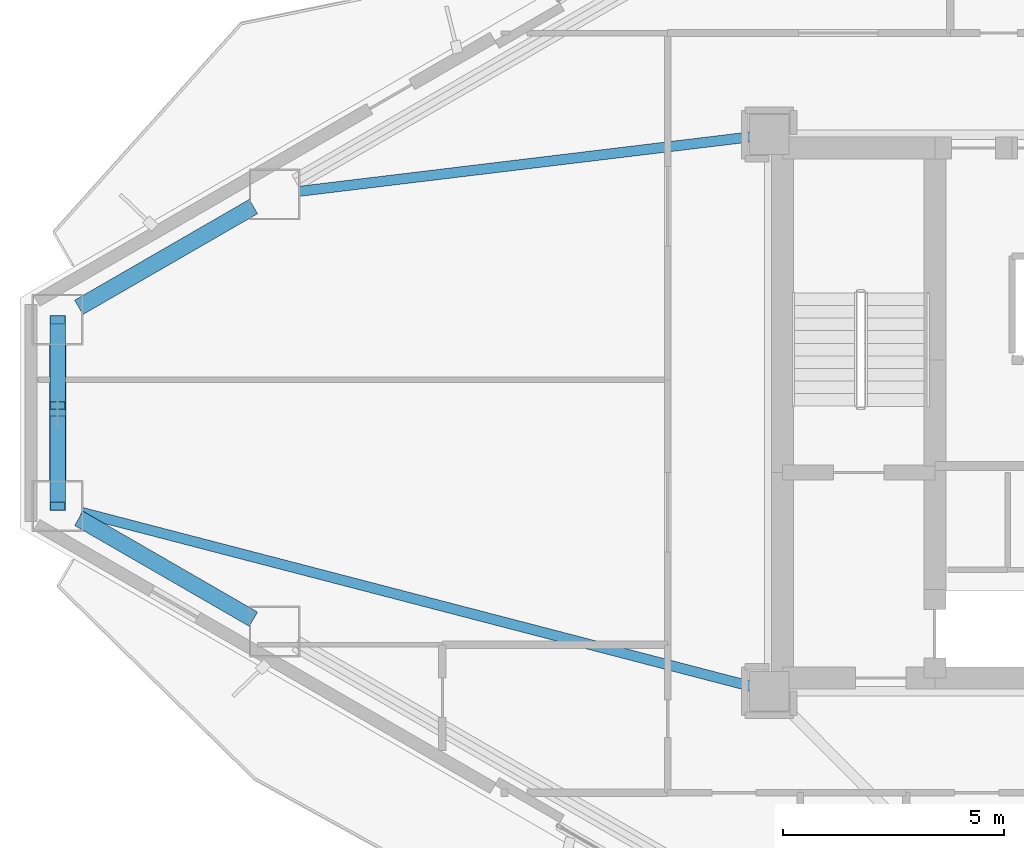
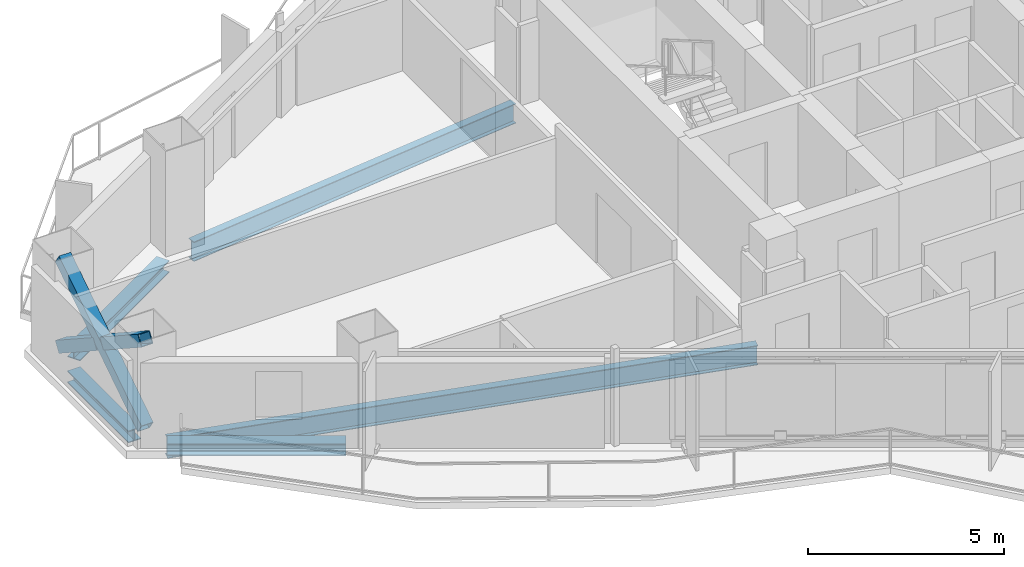
# One storey, part 5 of 22: 5 beams, 3 members.
"""IFC4 building model written with IfcOpenShell, lengths in metres."""

from ifc_helpers import new_model, si_unit, direction, frame, origin, origin_2d, place, context, subcontext, project, spatial, hollow_rectangle, i_section, extrude, material, material_profile, profile_set, type_object, element, save


model = new_model("IFC4")

# Units and contexts
model_context = context("Model", 3, precision=1e-05, world=origin(), true_north=direction((0.0, 1.0)))
body_context = subcontext(model_context, "Body", "Model", "MODEL_VIEW")
ifc_project = project(units=[si_unit("LENGTHUNIT", "METRE"), si_unit("AREAUNIT", "SQUARE_METRE"), si_unit("VOLUMEUNIT", "CUBIC_METRE"), si_unit("PLANEANGLEUNIT", "RADIAN"), si_unit("MASSUNIT", "GRAM", prefix="KILO")], contexts=[model_context])

# Site, building, storey
site_placement = place(None, origin())
site = spatial("IfcSite", under=ifc_project, at=site_placement, CompositionType="ELEMENT")
building_placement = place(site_placement, origin())
building = spatial("IfcBuilding", under=site, at=building_placement, Name="Mersakhor Tower and Convention Hall", CompositionType="ELEMENT")
storey_placement = place(building_placement, frame((0.0, 0.0, 86.699951171875)))
storey = spatial("IfcBuildingStorey", under=building, at=storey_placement, Name="L23", CompositionType="ELEMENT", Elevation=86.699951171875)

# Beams
ifc_material_1 = material(Name="Steel S355", Category="steel")
ifc_material_profile_1 = material_profile(ifc_material_1, i_section(OverallWidth=0.22900390625, OverallDepth=0.6123046875, WebThickness=0.011962890625, FlangeThickness=0.01953125, at=origin_2d()), Name="UB 610x229x125")
ifc_profile_set_1 = profile_set([ifc_material_profile_1], Name="Steel S355")
beam_type_1 = type_object("IfcBeamType", Name="BM-PR-610", PredefinedType="BEAM", material=ifc_profile_set_1)
beam_1_placement = place(storey_placement, frame((21.47314453125, 32.99853515625, -0.55615234375), z_axis=(-0.992798628585, -0.119795171356, 0.0), x_axis=(0.119795171356, -0.992798628585, 0.0)))
element("IfcBeam", 1, at=beam_1_placement, inside=storey, type_object=beam_type_1, Name="L23 Primary Floor Girder FG-1", PredefinedType="BEAM", context=body_context, shape_type="SweptSolid", body=[
    extrude(i_section(OverallWidth=0.22900390625, OverallDepth=0.6123046875, WebThickness=0.011962890625, FlangeThickness=0.01953125, at=origin_2d()), origin(), (0.0, 0.0, 1.0), 10.2939453125),
])
beam_2_placement = place(storey_placement, frame((21.48388671875, 20.55810546875, -0.55615234375), z_axis=(-0.967826150614, 0.251619836632, 0.0), x_axis=(-0.251619836632, -0.967826150614, 0.0)))
element("IfcBeam", 2, at=beam_2_placement, inside=storey, type_object=beam_type_1, Name="L23 Primary Floor Girder FG-6", PredefinedType="BEAM", context=body_context, shape_type="SweptSolid", body=[
    extrude(i_section(OverallWidth=0.22900390625, OverallDepth=0.6123046875, WebThickness=0.011962890625, FlangeThickness=0.01953125, at=origin_2d()), origin(), (0.0, 0.0, 1.0), 15.6640625),
])
ifc_material_2 = material(Name="Steel S355", Category="steel")
ifc_material_profile_2 = material_profile(ifc_material_2, i_section(OverallWidth=0.374755859375, OverallDepth=0.37451171875, WebThickness=0.0166015625, FlangeThickness=0.027099609375, at=origin_2d()), Name="UC 356x368x202")
ifc_profile_set_2 = profile_set([ifc_material_profile_2], Name="Steel S355")
beam_type_2 = type_object("IfcBeamType", Name="BM-SPD-UC356", PredefinedType="SPANDREL", material=ifc_profile_set_2)
for number, where, z_axis, x_axis, name in (
    (3, (6.267333984375, 29.13818359375, -0.437255859375), (0.866023543838, 0.500003221507, 0.0), (-0.500003221507, 0.866023543838, 0.0), "L23 Perimeter Spandrel Beam SPB-01"),
    (4, (10.221923828125, 22.07861328125, -0.437255859375), (-0.866023543838, 0.500003221507, 0.0), (-0.500003221507, -0.866023543838, 0.0), "L23 Perimeter Spandrel Beam SPB-11"),
):
    element("IfcBeam", number, at=place(storey_placement, frame(where, z_axis=z_axis, x_axis=x_axis)), inside=storey, type_object=beam_type_2, Name=name, PredefinedType="SPANDREL", context=body_context, shape_type="SweptSolid", body=[
        extrude(i_section(OverallWidth=0.374755859375, OverallDepth=0.37451171875, WebThickness=0.0166015625, FlangeThickness=0.027099609375, at=origin_2d()), origin(), (0.0, 0.0, 1.0), 4.56640625),
    ])
beam_3_placement = place(storey_placement, frame((5.78662109375, 25.194091796875, -0.437255859375), z_axis=(0.0, 1.0, 0.0), x_axis=(-1.0, 0.0, 0.0)))
element("IfcBeam", 5, at=beam_3_placement, inside=storey, type_object=beam_type_2, Name="L23 Perimeter Spandrel Beam SPB-12", PredefinedType="SPANDREL", context=body_context, shape_type="SweptSolid", body=[
    extrude(i_section(OverallWidth=0.374755859375, OverallDepth=0.37451171875, WebThickness=0.0166015625, FlangeThickness=0.027099609375, at=origin_2d()), origin(), (0.0, 0.0, 1.0), 3.11181640625),
])

# Members
ifc_material_3 = material(Name="Steel S460", Category="steel")
ifc_material_profile_3 = material_profile(ifc_material_3, hollow_rectangle(XDim=0.35009765625, YDim=0.35009765625, WallThickness=0.02001953125, at=origin_2d()), Name="SHS 350x350x20")
ifc_profile_set_3 = profile_set([ifc_material_profile_3], Name="Steel S460")
member_type = type_object("IfcMemberType", Name="MB-BRC-SHS350", PredefinedType="BRACE", material=ifc_profile_set_3)
member_1_placement = place(storey_placement, frame((5.78662109375, 24.63916015625, 0.150146484375), z_axis=(0.0, 0.837907380789, 0.54581244143), x_axis=(-1.0, 0.0, 0.0)))
element("IfcMember", 6, at=member_1_placement, inside=storey, type_object=member_type, Name="L23 Chamfer Braced Frame Diagonal CB-3A", PredefinedType="BRACE", context=body_context, shape_type="SweptSolid", body=[
    extrude(hollow_rectangle(XDim=0.35009765625, YDim=0.35009765625, WallThickness=0.02001953125, at=origin_2d()), origin(), (0.0, 0.0, 1.0), 5.038330078125),
])
member_2_placement = place(storey_placement, frame((5.78662109375, 28.86083984375, 0.150146484375), z_axis=(0.0, -0.837928690032, 0.545779727016), x_axis=(1.0, 0.0, 0.0)))
element("IfcMember", 7, at=member_2_placement, inside=storey, type_object=member_type, Name="L23 Chamfer Braced Frame Diagonal CB-3B Lower Half", PredefinedType="BRACE", context=body_context, shape_type="SweptSolid", body=[
    extrude(hollow_rectangle(XDim=0.35009765625, YDim=0.35009765625, WallThickness=0.02001953125, at=origin_2d()), origin(), (0.0, 0.0, 1.0), 2.31982421875),
])
member_3_placement = place(storey_placement, frame((5.78662109375, 26.5830078125, 1.6337890625), z_axis=(0.0, -0.83788056026, 0.54585361292), x_axis=(1.0, 0.0, 0.0)))
element("IfcMember", 8, at=member_3_placement, inside=storey, type_object=member_type, Name="L23 Chamfer Braced Frame Diagonal CB-3B Upper Half", PredefinedType="BRACE", context=body_context, shape_type="SweptSolid", body=[
    extrude(hollow_rectangle(XDim=0.35009765625, YDim=0.35009765625, WallThickness=0.02001953125, at=origin_2d()), origin(), (0.0, 0.0, 1.0), 2.320068359375),
])

save(model, "model.ifc")
